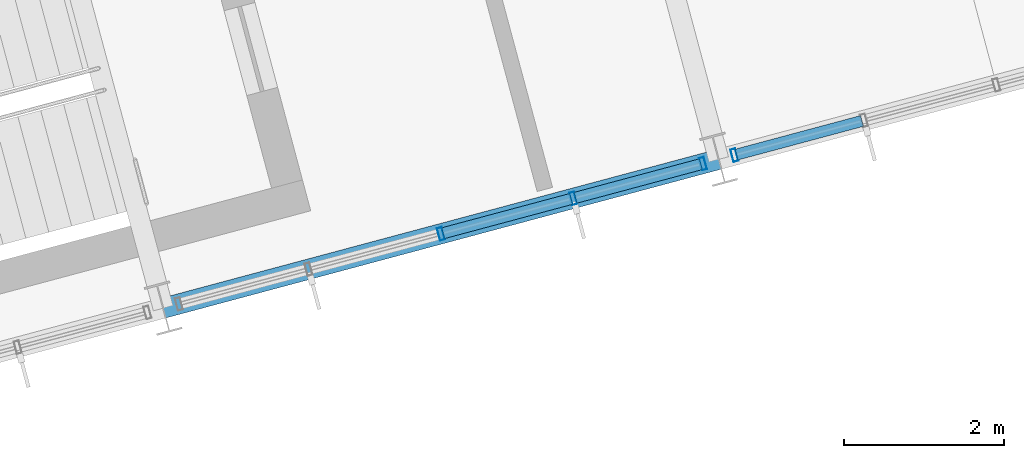
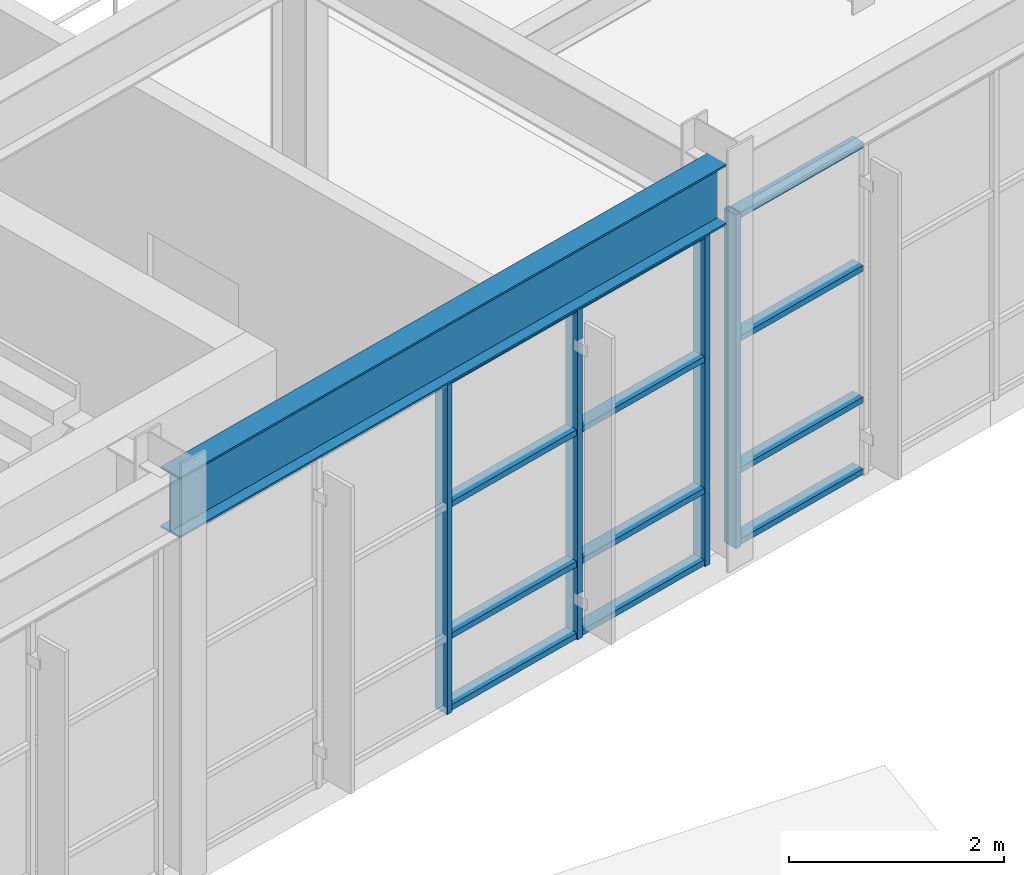
# One storey, part 36 of 104: 16 members, 1 beam, 2 elements without a shape of their own.
"""IFC4 building model written with IfcOpenShell, lengths in metres."""

import ifcopenshell
import ifcopenshell.guid

model = None  # the IFC model being written
_history = None  # IfcOwnerHistory: only IFC2X3 demands one
_inside = {}  # id of a spatial element -> (the spatial element, [elements in it])
_under = {}  # id of a project, library or spatial element -> (it, [spatial elements below it])
_declared = {}  # id of a project -> (the project, [libraries it declares])
_typed = {}  # id of a type object -> (the type object, [elements of that type])
_made_of = {}  # id of a material, layer set ... -> (it, [elements and type objects made of it])


def new_model(schema):
    """Start an empty IFC model of exactly this schema.

    Asked for "IFC4X3", IfcOpenShell would pick the latest addendum, in which some entities
    have other attributes; the version numbers below select the first issue.
    IFC2X3 requires an IfcOwnerHistory on every rooted entity: one is made here for all.
    """
    global model, _history
    if schema == "IFC4X3":
        model = ifcopenshell.file(schema_version=(4, 3, 0, 0))
    else:
        model = ifcopenshell.file(schema=schema)
    _inside.clear()
    _under.clear()
    _declared.clear()
    _typed.clear()
    _made_of.clear()
    _history = None
    if model.schema == "IFC2X3":
        org = make("IfcOrganization", Name="unknown")
        user = make(
            "IfcPersonAndOrganization",
            ThePerson=make("IfcPerson", FamilyName="unknown"),
            TheOrganization=org,
        )
        app = make(
            "IfcApplication",
            ApplicationDeveloper=org,
            Version="unknown",
            ApplicationFullName="unknown",
            ApplicationIdentifier="unknown",
        )
        _history = make(
            "IfcOwnerHistory",
            OwningUser=user,
            OwningApplication=app,
            ChangeAction="ADDED",
            CreationDate=0,
        )
    return model


def make(cls, **values):
    """One entity of the class cls with the attributes given. An attribute that is None is left unset."""
    return model.create_entity(
        cls, **{name: value for name, value in values.items() if value is not None}
    )


def rooted(cls, **values):
    """An entity with a GlobalId (a new one), such as an element, a storey or a relation."""
    return make(cls, GlobalId=ifcopenshell.guid.new(), OwnerHistory=_history, **values)


def si_unit(unit_type, name, prefix=None):
    """IfcSIUnit, for example si_unit("LENGTHUNIT", "METRE", prefix="MILLI")."""
    return make("IfcSIUnit", UnitType=unit_type, Prefix=prefix, Name=name)


def assignment(units):
    """IfcUnitAssignment: the units of a project."""
    return None if units is None else make("IfcUnitAssignment", Units=units)


def point(xyz):
    """IfcCartesianPoint."""
    return None if xyz is None else make("IfcCartesianPoint", Coordinates=xyz)


def direction(xyz):
    """IfcDirection."""
    return None if xyz is None else make("IfcDirection", DirectionRatios=xyz)


def frame(location, z_axis=None, x_axis=None):
    """IfcAxis2Placement3D, a coordinate frame: its origin and axes. An axis left out is left unset."""
    return make(
        "IfcAxis2Placement3D",
        Location=point(location),
        Axis=direction(z_axis),
        RefDirection=direction(x_axis),
    )


def frame_2d(location, x_axis=None):
    """IfcAxis2Placement2D, a coordinate frame in the plane: its origin and x axis."""
    return make(
        "IfcAxis2Placement2D", Location=point(location), RefDirection=direction(x_axis)
    )


def origin():
    """The frame at (0, 0, 0) with its axes left unset."""
    return frame((0.0, 0.0, 0.0))


def origin_2d():
    """The frame at (0, 0) in the plane with its x axis left unset."""
    return frame_2d((0.0, 0.0))


def place(relative_to, where):
    """IfcLocalPlacement: puts the frame where relative to a parent placement (None: the world)."""
    return make(
        "IfcLocalPlacement", PlacementRelTo=relative_to, RelativePlacement=where
    )


def context(
    kind, dimensions, precision=None, world=None, true_north=None, identifier=None
):
    """IfcGeometricRepresentationContext, for example the 3D "Model" context."""
    return make(
        "IfcGeometricRepresentationContext",
        ContextIdentifier=identifier,
        ContextType=kind,
        CoordinateSpaceDimension=dimensions,
        Precision=precision,
        WorldCoordinateSystem=world,
        TrueNorth=true_north,
    )


def subcontext(parent, identifier, kind, view, scale=None):
    """IfcGeometricRepresentationSubContext, for example "Body" below "Model"."""
    return make(
        "IfcGeometricRepresentationSubContext",
        ContextIdentifier=identifier,
        ContextType=kind,
        ParentContext=parent,
        TargetScale=scale,
        TargetView=view,
    )


def project(units=None, contexts=None):
    """IfcProject with its units and contexts."""
    return rooted(
        "IfcProject",
        Name="project",
        RepresentationContexts=contexts,
        UnitsInContext=assignment(units),
    )


def spatial(cls, under=None, at=None, **own):
    """A site, building, storey or space (cls), placed at a placement, below another one or the project."""
    s = rooted(cls, ObjectPlacement=at, **own)
    if under is not None:
        _under.setdefault(under.id(), (under, []))[1].append(s)
    return s


def profile(cls, at=None, kind="AREA", **sizes):
    """A parametric profile (cls). Its sizes go by their IFC names, for example OverallWidth=200.0."""
    return make(cls, ProfileType=kind, Position=at, **sizes)


def hollow_rectangle(**sizes):
    """IfcRectangleHollowProfileDef."""
    return profile("IfcRectangleHollowProfileDef", **sizes)


def i_section(**sizes):
    """IfcIShapeProfileDef."""
    return profile("IfcIShapeProfileDef", **sizes)


def extrude(swept, where, along, depth):
    """IfcExtrudedAreaSolid: the profile swept, set in the frame where, extruded along a direction by depth."""
    return make(
        "IfcExtrudedAreaSolid",
        SweptArea=swept,
        Position=where,
        ExtrudedDirection=direction(along),
        Depth=depth,
    )


def shape(context_of_items, identifier, shape_type, items):
    """IfcShapeRepresentation: the items that make up one representation, for example the "Body"."""
    return make(
        "IfcShapeRepresentation",
        ContextOfItems=context_of_items,
        RepresentationIdentifier=identifier,
        RepresentationType=shape_type,
        Items=items,
    )


def material(Name=None, Category=None):
    """IfcMaterial."""
    return make("IfcMaterial", Name=Name, Category=Category)


def layer(
    of_material, thickness, ventilated=None, Name=None, Category=None, Priority=None
):
    """IfcMaterialLayer: one layer of a wall or slab, of a material (None: an air gap)."""
    return make(
        "IfcMaterialLayer",
        Material=of_material,
        LayerThickness=thickness,
        IsVentilated=ventilated,
        Name=Name,
        Category=Category,
        Priority=Priority,
    )


def layer_set(layers, Name=None):
    """IfcMaterialLayerSet."""
    return make("IfcMaterialLayerSet", MaterialLayers=layers, LayerSetName=Name)


def material_profile(
    of_material, cross_section, Name=None, Category=None, Priority=None
):
    """IfcMaterialProfile: a cross section and its material."""
    return make(
        "IfcMaterialProfile",
        Name=Name,
        Material=of_material,
        Profile=cross_section,
        Priority=Priority,
        Category=Category,
    )


def profile_set(profiles, Name=None, composite=None):
    """IfcMaterialProfileSet."""
    return make(
        "IfcMaterialProfileSet",
        Name=Name,
        MaterialProfiles=profiles,
        CompositeProfile=composite,
    )


def made_of(thing, what):
    """Note that an element or type object is made of a material, layer set ...; save() writes the relation."""
    if what is not None:
        _made_of.setdefault(what.id(), (what, []))[1].append(thing)
    return thing


def type_object(cls, material=None, **own):
    """A type object (cls), such as IfcWallType, which elements share."""
    return made_of(rooted(cls, **own), material)


def element(
    cls,
    number,
    at=None,
    inside=None,
    cuts=None,
    type_object=None,
    material=None,
    context=None,
    identifier="Body",
    shape_type=None,
    held_by="IfcProductDefinitionShape",
    body=None,
    shapes=None,
    **own,
):
    """One element of the class cls, such as IfcWall. Its Tag is "e" and its number.

    at: its placement. inside: the storey or other place that contains it. cuts: it is an
    opening in that element (IfcRelVoidsElement). A single representation is given by context,
    identifier, shape_type and body (its items); several are given by shapes. held_by: the class
    of the entity that holds the representations. save() writes the other relations.
    """
    e = rooted(cls, Tag="e%d" % number, ObjectPlacement=at, **own)
    if body is not None:
        shapes = [shape(context, identifier, shape_type, body)]
    if shapes is not None:
        e.Representation = make(held_by, Representations=shapes)
    if inside is not None:
        _inside.setdefault(inside.id(), (inside, []))[1].append(e)
    if cuts is not None:
        rooted(
            "IfcRelVoidsElement", RelatingBuildingElement=cuts, RelatedOpeningElement=e
        )
    if type_object is not None:
        _typed.setdefault(type_object.id(), (type_object, []))[1].append(e)
    return made_of(e, material)


def aggregate(whole, parts):
    """IfcRelAggregates: a whole, such as a stair, and the parts it consists of."""
    return rooted("IfcRelAggregates", RelatingObject=whole, RelatedObjects=parts)


def save(model, path):
    """Write the relations noted so far, then the file.

    IfcRelAggregates (storeys below a building ...), IfcRelContainedInSpatialStructure (elements
    in a storey), IfcRelDefinesByType, IfcRelAssociatesMaterial and IfcRelDeclares: one each for
    every whole, place, type object, material and project.
    """
    for whole, parts in _under.values():
        aggregate(whole, parts)
    for where, things in _inside.values():
        rooted(
            "IfcRelContainedInSpatialStructure",
            RelatedElements=things,
            RelatingStructure=where,
        )
    for kind, things in _typed.values():
        rooted("IfcRelDefinesByType", RelatedObjects=things, RelatingType=kind)
    for what, things in _made_of.values():
        rooted("IfcRelAssociatesMaterial", RelatedObjects=things, RelatingMaterial=what)
    for by, libraries in _declared.values():
        rooted("IfcRelDeclares", RelatingContext=by, RelatedDefinitions=libraries)
    model.write(path)


model = new_model("IFC4")

# Units and contexts
model_context = context("Model", 3, precision=1e-05, world=origin(), true_north=direction((0.0, 1.0)))
body_context = subcontext(model_context, "Body", "Model", "MODEL_VIEW")
ifc_project = project(units=[si_unit("LENGTHUNIT", "METRE"), si_unit("AREAUNIT", "SQUARE_METRE"), si_unit("VOLUMEUNIT", "CUBIC_METRE"), si_unit("PLANEANGLEUNIT", "RADIAN"), si_unit("MASSUNIT", "GRAM", prefix="KILO")], contexts=[model_context])

# Site, building, storey
site_placement = place(None, origin())
site = spatial("IfcSite", under=ifc_project, at=site_placement, CompositionType="ELEMENT")
building_placement = place(site_placement, origin())
building = spatial("IfcBuilding", under=site, at=building_placement, Name="Ventoquebrada Cableway Terminal", CompositionType="ELEMENT")
storey_placement = place(building_placement, frame((0.0, 0.0, 4.800048828125)))
storey = spatial("IfcBuildingStorey", under=building, at=storey_placement, Name="L01", CompositionType="ELEMENT", Elevation=4.800048828125)

# Beam
ifc_material_1 = material(Name="Steel ASTM A992 Grade 50", Category="steel")
ifc_material_profile_1 = material_profile(ifc_material_1, i_section(OverallWidth=0.25390625, OverallDepth=0.68798828125, WebThickness=0.01318359375, FlangeThickness=0.02099609375, at=origin_2d()), Name="W27X102")
ifc_profile_set_1 = profile_set([ifc_material_profile_1], Name="Steel ASTM A992 Grade 50")
beam_type = type_object("IfcBeamType", Name="BM-ST04", PredefinedType="BEAM", material=ifc_profile_set_1)
beam_placement = place(storey_placement, frame((58.93310546875, 71.64794921875, 4.130859375), z_axis=(0.965934277216, 0.258787503754, 0.0), x_axis=(-0.258787503754, 0.965934277216, 0.0)))
element("IfcBeam", 1, at=beam_placement, inside=storey, type_object=beam_type, Name="Splayed station girder FBM-1042", PredefinedType="BEAM", context=body_context, shape_type="SweptSolid", body=[
    extrude(i_section(OverallWidth=0.25390625, OverallDepth=0.68798828125, WebThickness=0.01318359375, FlangeThickness=0.02099609375, at=origin_2d()), origin(), (0.0, 0.0, 1.0), 7.19921875),
])

# Curtain wall, members
ifc_material_2 = material(Name="Anodized thermally-broken aluminium", Category="aluminium")
ifc_layer_1 = layer(ifc_material_2, 0.159912109375)
ifc_layer_set_1 = layer_set([ifc_layer_1], Name="Anodized thermally-broken aluminium")
curtain_wall_type_1 = type_object("IfcCurtainWallType", Name="CW-T37", PredefinedType="USERDEFINED", material=ifc_layer_set_1)
curtain_wall_1_placement = place(storey_placement, origin())
curtain_wall_1 = element("IfcCurtainWall", 2, at=curtain_wall_1_placement, inside=storey, type_object=curtain_wall_type_1, Name="Unitised glazed curtain wall CW-084", ObjectType="UNITISED CURTAIN WALL", PredefinedType="USERDEFINED")
ifc_material_profile_2 = material_profile(ifc_material_2, hollow_rectangle(XDim=0.06494140625, YDim=0.159912109375, WallThickness=0.00390625, at=origin_2d()), Name="CW-MUL-65X160")
ifc_profile_set_2 = profile_set([ifc_material_profile_2], Name="Anodized thermally-broken aluminium")
member_type_1 = type_object("IfcMemberType", Name="CWM-01", PredefinedType="MULLION", material=ifc_profile_set_2)
member_1_placement = place(storey_placement, frame((62.409912109375, 72.5791015625, -0.008056640625), z_axis=(0.0, 0.0, 1.0), x_axis=(0.965961954829, 0.258684173892, 0.0)))
member_1 = element("IfcMember", 3, at=member_1_placement, type_object=member_type_1, Name="Curtain wall mullion FML-0411", PredefinedType="MULLION", context=body_context, shape_type="SweptSolid", body=[
    extrude(hollow_rectangle(XDim=0.06494140625, YDim=0.159912109375, WallThickness=0.00390625, at=origin_2d()), origin(), (0.0, 0.0, 1.0), 3.794921875),
])
member_2_placement = place(storey_placement, frame((64.06689453125, 73.02294921875, -0.008056640625), z_axis=(0.0, 0.0, 1.0), x_axis=(0.965961954829, 0.258684173892, 0.0)))
member_2 = element("IfcMember", 4, at=member_2_placement, type_object=member_type_1, Name="Curtain wall mullion FML-0412", PredefinedType="MULLION", context=body_context, shape_type="SweptSolid", body=[
    extrude(hollow_rectangle(XDim=0.06494140625, YDim=0.159912109375, WallThickness=0.00390625, at=origin_2d()), origin(), (0.0, 0.0, 1.0), 3.794921875),
])
member_3_placement = place(storey_placement, frame((65.68994140625, 73.4580078125, -0.008056640625), z_axis=(0.0, 0.0, 1.0), x_axis=(0.965961954829, 0.258684173892, 0.0)))
member_3 = element("IfcMember", 5, at=member_3_placement, type_object=member_type_1, Name="Curtain wall mullion FML-0413", PredefinedType="MULLION", context=body_context, shape_type="SweptSolid", body=[
    extrude(hollow_rectangle(XDim=0.06494140625, YDim=0.159912109375, WallThickness=0.00390625, at=origin_2d()), origin(), (0.0, 0.0, 1.0), 3.794921875),
])

# Curtain wall, member
ifc_layer_2 = layer(ifc_material_2, 0.159912109375)
ifc_layer_set_2 = layer_set([ifc_layer_2], Name="Anodized thermally-broken aluminium")
curtain_wall_type_2 = type_object("IfcCurtainWallType", Name="CW-T36", PredefinedType="USERDEFINED", material=ifc_layer_set_2)
curtain_wall_2_placement = place(storey_placement, origin())
curtain_wall_2 = element("IfcCurtainWall", 6, at=curtain_wall_2_placement, inside=storey, type_object=curtain_wall_type_2, Name="Unitised glazed curtain wall CW-085", ObjectType="UNITISED CURTAIN WALL", PredefinedType="USERDEFINED")
member_4_placement = place(storey_placement, frame((66.083984375, 73.56396484375, -0.008056640625), z_axis=(0.0, 0.0, 1.0), x_axis=(0.96593486019, 0.258785327773, 0.0)))
member_4 = element("IfcMember", 7, at=member_4_placement, type_object=member_type_1, Name="Curtain wall mullion FML-0414", PredefinedType="MULLION", context=body_context, shape_type="SweptSolid", body=[
    extrude(hollow_rectangle(XDim=0.06494140625, YDim=0.159912109375, WallThickness=0.00390625, at=origin_2d()), origin(), (0.0, 0.0, 1.0), 3.794921875),
])

# Member
ifc_material_profile_3 = material_profile(ifc_material_2, hollow_rectangle(XDim=0.06494140625, YDim=0.139892578125, WallThickness=0.00390625, at=origin_2d()), Name="CW-TRN-65X140")
ifc_profile_set_3 = profile_set([ifc_material_profile_3], Name="Anodized thermally-broken aluminium")
member_type_2 = type_object("IfcMemberType", Name="CWT-01", PredefinedType="USERDEFINED", material=ifc_profile_set_3)
member_5_placement = place(storey_placement, frame((62.43701171875, 72.5869140625, 0.034912109375), z_axis=(0.965975622401, 0.258633131919, 0.0), x_axis=(0.0, 0.0, 1.0)))
member_5 = element("IfcMember", 8, at=member_5_placement, type_object=member_type_2, Name="Curtain wall transom FTR-1216", ObjectType="TRANSOM", PredefinedType="USERDEFINED", context=body_context, shape_type="SweptSolid", body=[
    extrude(hollow_rectangle(XDim=0.06494140625, YDim=0.139892578125, WallThickness=0.00390625, at=origin_2d()), origin(), (0.0, 0.0, 1.0), 1.659423828125),
])

member_6_placement = place(storey_placement, frame((62.43701171875, 72.5869140625, 0.849853515625), z_axis=(0.965975622401, 0.258633131919, 0.0), x_axis=(0.0, 0.0, 1.0)))
member_6 = element("IfcMember", 9, at=member_6_placement, type_object=member_type_2, Name="Curtain wall transom FTR-1217", ObjectType="TRANSOM", PredefinedType="USERDEFINED", context=body_context, shape_type="SweptSolid", body=[
    extrude(hollow_rectangle(XDim=0.06494140625, YDim=0.139892578125, WallThickness=0.00390625, at=origin_2d()), origin(), (0.0, 0.0, 1.0), 1.659423828125),
])

member_7_placement = place(storey_placement, frame((62.43701171875, 72.5869140625, 2.344970703125), z_axis=(0.965975622401, 0.258633131919, 0.0), x_axis=(0.0, 0.0, 1.0)))
member_7 = element("IfcMember", 10, at=member_7_placement, type_object=member_type_2, Name="Curtain wall transom FTR-1218", ObjectType="TRANSOM", PredefinedType="USERDEFINED", context=body_context, shape_type="SweptSolid", body=[
    extrude(hollow_rectangle(XDim=0.06494140625, YDim=0.139892578125, WallThickness=0.00390625, at=origin_2d()), origin(), (0.0, 0.0, 1.0), 1.659423828125),
])

member_8_placement = place(storey_placement, frame((62.43701171875, 72.5869140625, 3.7470703125), z_axis=(0.965975622401, 0.258633131919, 0.0), x_axis=(0.0, 0.0, 1.0)))
member_8 = element("IfcMember", 11, at=member_8_placement, type_object=member_type_2, Name="Curtain wall transom FTR-1219", ObjectType="TRANSOM", PredefinedType="USERDEFINED", context=body_context, shape_type="SweptSolid", body=[
    extrude(hollow_rectangle(XDim=0.06494140625, YDim=0.139892578125, WallThickness=0.00390625, at=origin_2d()), origin(), (0.0, 0.0, 1.0), 1.659423828125),
])

member_9_placement = place(storey_placement, frame((64.093994140625, 73.030029296875, 0.034912109375), z_axis=(0.965895076966, 0.258933775881, 0.0), x_axis=(0.0, 0.0, 1.0)))
member_9 = element("IfcMember", 12, at=member_9_placement, type_object=member_type_2, Name="Curtain wall transom FTR-1220", ObjectType="TRANSOM", PredefinedType="USERDEFINED", context=body_context, shape_type="SweptSolid", body=[
    extrude(hollow_rectangle(XDim=0.06494140625, YDim=0.139892578125, WallThickness=0.00390625, at=origin_2d()), origin(), (0.0, 0.0, 1.0), 1.62548828125),
])

member_10_placement = place(storey_placement, frame((64.093994140625, 73.030029296875, 0.849853515625), z_axis=(0.965895076966, 0.258933775881, 0.0), x_axis=(0.0, 0.0, 1.0)))
member_10 = element("IfcMember", 13, at=member_10_placement, type_object=member_type_2, Name="Curtain wall transom FTR-1221", ObjectType="TRANSOM", PredefinedType="USERDEFINED", context=body_context, shape_type="SweptSolid", body=[
    extrude(hollow_rectangle(XDim=0.06494140625, YDim=0.139892578125, WallThickness=0.00390625, at=origin_2d()), origin(), (0.0, 0.0, 1.0), 1.62548828125),
])

member_11_placement = place(storey_placement, frame((64.093994140625, 73.030029296875, 2.344970703125), z_axis=(0.965895076966, 0.258933775881, 0.0), x_axis=(0.0, 0.0, 1.0)))
member_11 = element("IfcMember", 14, at=member_11_placement, type_object=member_type_2, Name="Curtain wall transom FTR-1222", ObjectType="TRANSOM", PredefinedType="USERDEFINED", context=body_context, shape_type="SweptSolid", body=[
    extrude(hollow_rectangle(XDim=0.06494140625, YDim=0.139892578125, WallThickness=0.00390625, at=origin_2d()), origin(), (0.0, 0.0, 1.0), 1.62548828125),
])

member_12_placement = place(storey_placement, frame((64.093994140625, 73.030029296875, 3.7470703125), z_axis=(0.965895076966, 0.258933775881, 0.0), x_axis=(0.0, 0.0, 1.0)))
member_12 = element("IfcMember", 15, at=member_12_placement, type_object=member_type_2, Name="Curtain wall transom FTR-1223", ObjectType="TRANSOM", PredefinedType="USERDEFINED", context=body_context, shape_type="SweptSolid", body=[
    extrude(hollow_rectangle(XDim=0.06494140625, YDim=0.139892578125, WallThickness=0.00390625, at=origin_2d()), origin(), (0.0, 0.0, 1.0), 1.62548828125),
])

aggregate(curtain_wall_1, [member_1, member_2, member_3, member_5, member_6, member_7, member_8, member_9, member_10, member_11, member_12])

member_13_placement = place(storey_placement, frame((66.110107421875, 73.571044921875, 0.034912109375), z_axis=(0.965925267213, 0.258821131594, 0.0), x_axis=(0.0, 0.0, 1.0)))
member_13 = element("IfcMember", 16, at=member_13_placement, type_object=member_type_2, Name="Curtain wall transom FTR-1224", ObjectType="TRANSOM", PredefinedType="USERDEFINED", context=body_context, shape_type="SweptSolid", body=[
    extrude(hollow_rectangle(XDim=0.06494140625, YDim=0.139892578125, WallThickness=0.00390625, at=origin_2d()), origin(), (0.0, 0.0, 1.0), 1.626220703125),
])

member_14_placement = place(storey_placement, frame((66.110107421875, 73.571044921875, 0.849853515625), z_axis=(0.965925267213, 0.258821131594, 0.0), x_axis=(0.0, 0.0, 1.0)))
member_14 = element("IfcMember", 17, at=member_14_placement, type_object=member_type_2, Name="Curtain wall transom FTR-1225", ObjectType="TRANSOM", PredefinedType="USERDEFINED", context=body_context, shape_type="SweptSolid", body=[
    extrude(hollow_rectangle(XDim=0.06494140625, YDim=0.139892578125, WallThickness=0.00390625, at=origin_2d()), origin(), (0.0, 0.0, 1.0), 1.626220703125),
])

member_15_placement = place(storey_placement, frame((66.110107421875, 73.571044921875, 2.344970703125), z_axis=(0.965925267213, 0.258821131594, 0.0), x_axis=(0.0, 0.0, 1.0)))
member_15 = element("IfcMember", 18, at=member_15_placement, type_object=member_type_2, Name="Curtain wall transom FTR-1226", ObjectType="TRANSOM", PredefinedType="USERDEFINED", context=body_context, shape_type="SweptSolid", body=[
    extrude(hollow_rectangle(XDim=0.06494140625, YDim=0.139892578125, WallThickness=0.00390625, at=origin_2d()), origin(), (0.0, 0.0, 1.0), 1.626220703125),
])

member_16_placement = place(storey_placement, frame((66.110107421875, 73.571044921875, 3.7470703125), z_axis=(0.965925267213, 0.258821131594, 0.0), x_axis=(0.0, 0.0, 1.0)))
member_16 = element("IfcMember", 19, at=member_16_placement, type_object=member_type_2, Name="Curtain wall transom FTR-1227", ObjectType="TRANSOM", PredefinedType="USERDEFINED", context=body_context, shape_type="SweptSolid", body=[
    extrude(hollow_rectangle(XDim=0.06494140625, YDim=0.139892578125, WallThickness=0.00390625, at=origin_2d()), origin(), (0.0, 0.0, 1.0), 1.626220703125),
])

aggregate(curtain_wall_2, [member_4, member_13, member_14, member_15, member_16])

save(model, "model.ifc")
